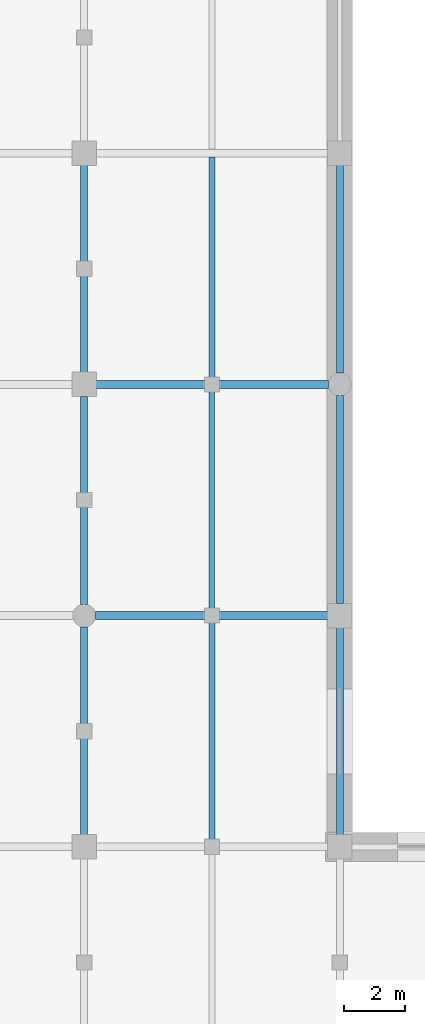
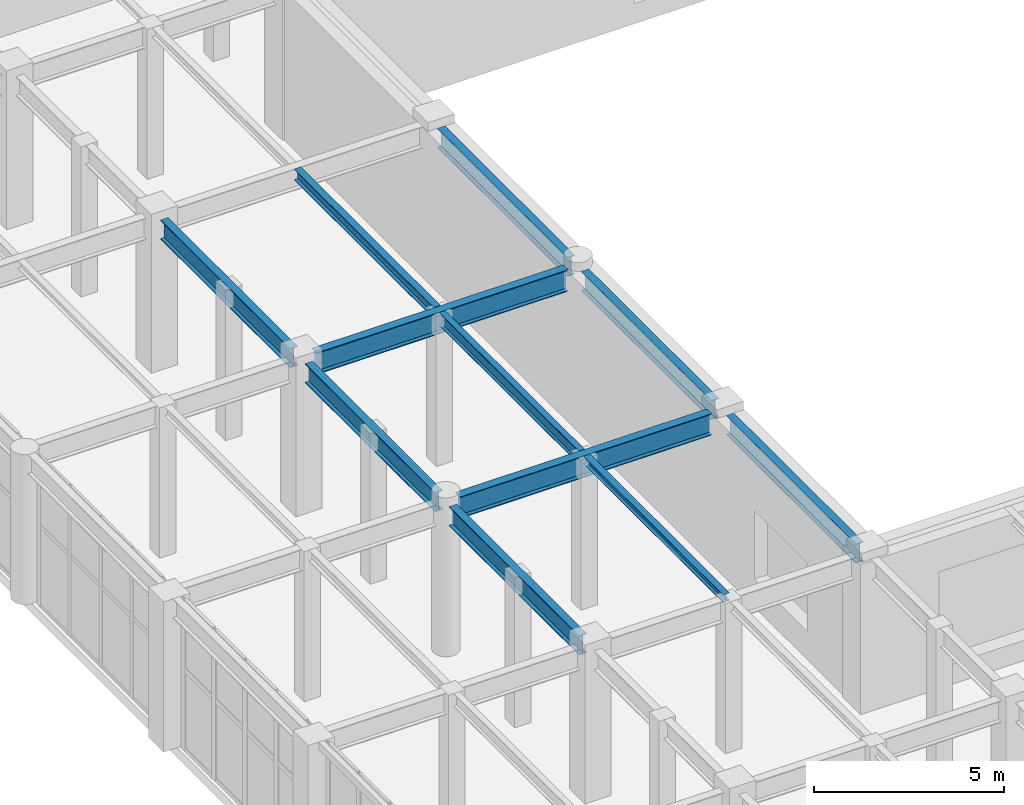
# One storey, part 33 of 128: 11 beams.
"""IFC4 building model written with IfcOpenShell, lengths in metres."""

from ifc_helpers import new_model, si_unit, direction, frame, origin, origin_2d, place, context, subcontext, project, spatial, i_section, extrude, material, material_profile, profile_set, type_object, element, save


model = new_model("IFC4")

# Units and contexts
model_context = context("Model", 3, precision=1e-05, world=origin(), true_north=direction((0.0, 1.0)))
body_context = subcontext(model_context, "Body", "Model", "MODEL_VIEW")
ifc_project = project(units=[si_unit("LENGTHUNIT", "METRE"), si_unit("AREAUNIT", "SQUARE_METRE"), si_unit("VOLUMEUNIT", "CUBIC_METRE"), si_unit("PLANEANGLEUNIT", "RADIAN"), si_unit("MASSUNIT", "GRAM", prefix="KILO")], contexts=[model_context])

# Site, building, storey
site_placement = place(None, origin())
site = spatial("IfcSite", under=ifc_project, at=site_placement, CompositionType="ELEMENT")
building_placement = place(site_placement, origin())
building = spatial("IfcBuilding", under=site, at=building_placement, Name="Xicomal Pleat Aquarium", CompositionType="ELEMENT")
storey_placement = place(building_placement, frame((0.0, 0.0, 5.39990234375)))
storey = spatial("IfcBuildingStorey", under=building, at=storey_placement, Name="L02", CompositionType="ELEMENT", Elevation=5.39990234375)

# Beams
ifc_material_1 = material(Name="Structural steel A992 Gr 50", Category="steel")
ifc_material_profile_1 = material_profile(ifc_material_1, i_section(OverallWidth=0.201904296875, OverallDepth=0.2470703125, WebThickness=0.00732421875, FlangeThickness=0.010986328125, at=origin_2d()), Name="IR 250x49")
ifc_profile_set_1 = profile_set([ifc_material_profile_1], Name="Structural steel A992 Gr 50")
beam_type_1 = type_object("IfcBeamType", Name="BM-STL-IR250", PredefinedType="JOIST", material=ifc_profile_set_1)
beam_1_placement = place(storey_placement, frame((56.39990234375, 45.73095703125, 4.696533203125), z_axis=(0.0, 1.0, 0.0), x_axis=(-1.0, 0.0, 0.0)))
element("IfcBeam", 1, at=beam_1_placement, inside=storey, type_object=beam_type_1, Name="L02 framing beam FBJ-L02-07-G-1", PredefinedType="JOIST", context=body_context, shape_type="SweptSolid", body=[
    extrude(i_section(OverallWidth=0.201904296875, OverallDepth=0.2470703125, WebThickness=0.00732421875, FlangeThickness=0.010986328125, at=origin_2d()), origin(), (0.0, 0.0, 1.0), 7.338134765625),
])
ifc_material_2 = material(Name="Structural steel A992 Gr 50", Category="steel")
ifc_material_profile_2 = material_profile(ifc_material_2, i_section(OverallWidth=0.205078125, OverallDepth=0.35400390625, WebThickness=0.009521484375, FlangeThickness=0.016845703125, at=origin_2d()), Name="IR 360x79")
ifc_profile_set_2 = profile_set([ifc_material_profile_2], Name="Structural steel A992 Gr 50")
beam_type_2 = type_object("IfcBeamType", Name="BM-STL-IR360", PredefinedType="JOIST", material=ifc_profile_set_2)
beam_2_placement = place(storey_placement, frame((56.39990234375, 60.930908203125, 4.64306640625), z_axis=(0.0, 1.0, 0.0), x_axis=(-1.0, 0.0, 0.0)))
element("IfcBeam", 2, at=beam_2_placement, inside=storey, type_object=beam_type_2, Name="L02 framing beam FBJ-L02-07-J-1", PredefinedType="JOIST", context=body_context, shape_type="SweptSolid", body=[
    extrude(i_section(OverallWidth=0.205078125, OverallDepth=0.35400390625, WebThickness=0.009521484375, FlangeThickness=0.016845703125, at=origin_2d()), origin(), (0.0, 0.0, 1.0), 7.338134765625),
])
ifc_material_3 = material(Name="Structural steel A992 Gr 50", Category="steel")
ifc_material_profile_3 = material_profile(ifc_material_3, i_section(OverallWidth=0.180908203125, OverallDepth=0.4169921875, WebThickness=0.010986328125, FlangeThickness=0.018310546875, at=origin_2d()), Name="IR 410x85")
ifc_profile_set_3 = profile_set([ifc_material_profile_3], Name="Structural steel A992 Gr 50")
beam_type_3 = type_object("IfcBeamType", Name="BM-STL-IR410", PredefinedType="JOIST", material=ifc_profile_set_3)
beam_3_placement = place(storey_placement, frame((56.39990234375, 53.3310546875, 4.611572265625), z_axis=(0.0, 1.0, 0.0), x_axis=(-1.0, 0.0, 0.0)))
element("IfcBeam", 3, at=beam_3_placement, inside=storey, type_object=beam_type_3, Name="L02 framing beam FBJ-L02-07-H-1", PredefinedType="JOIST", context=body_context, shape_type="SweptSolid", body=[
    extrude(i_section(OverallWidth=0.180908203125, OverallDepth=0.4169921875, WebThickness=0.010986328125, FlangeThickness=0.018310546875, at=origin_2d()), origin(), (0.0, 0.0, 1.0), 7.337890625),
])
ifc_material_4 = material(Name="Structural steel A992 Gr 50", Category="steel")
ifc_material_profile_4 = material_profile(ifc_material_4, i_section(OverallWidth=0.22998046875, OverallDepth=0.616943359375, WebThickness=0.01318359375, FlangeThickness=0.022216796875, at=origin_2d()), Name="IR 610x140")
ifc_profile_set_4 = profile_set([ifc_material_profile_4], Name="Structural steel A992 Gr 50")
beam_type_4 = type_object("IfcBeamType", Name="BM-STL-IR610", PredefinedType="BEAM", material=ifc_profile_set_4)
for number, where, z_axis, x_axis, name in (
    (4, (52.199951171875, 45.9951171875, 4.51171875), (0.0, 1.0, 0.0), (-1.0, 0.0, 0.0), "L02 framing beam FGY-L02-07-G-H"),
    (5, (52.199951171875, 53.570068359375, 4.51171875), (0.0, 1.0, 0.0), (-1.0, 0.0, 0.0), "L02 framing beam FGY-L02-07-H-J"),
):
    element("IfcBeam", number, at=place(storey_placement, frame(where, z_axis=z_axis, x_axis=x_axis)), inside=storey, type_object=beam_type_4, Name=name, PredefinedType="BEAM", context=body_context, shape_type="SweptSolid", body=[
        extrude(i_section(OverallWidth=0.22998046875, OverallDepth=0.616943359375, WebThickness=0.01318359375, FlangeThickness=0.022216796875, at=origin_2d()), origin(), (0.0, 0.0, 1.0), 6.8349609375),
    ])
for number, where, z_axis, x_axis, name in (
    (6, (52.199951171875, 61.195068359375, 4.51171875), (0.0, 1.0, 0.0), (-1.0, 0.0, 0.0), "L02 framing beam FGY-L02-07-J-K"),
    (7, (60.60009765625, 45.9951171875, 4.51171875), (0.0, 1.0, 0.0), (-1.0, 0.0, 0.0), "L02 framing beam FGY-L02-08-G-H"),
):
    element("IfcBeam", number, at=place(storey_placement, frame(where, z_axis=z_axis, x_axis=x_axis)), inside=storey, type_object=beam_type_4, Name=name, PredefinedType="BEAM", context=body_context, shape_type="SweptSolid", body=[
        extrude(i_section(OverallWidth=0.22998046875, OverallDepth=0.616943359375, WebThickness=0.01318359375, FlangeThickness=0.022216796875, at=origin_2d()), origin(), (0.0, 0.0, 1.0), 6.809814453125),
    ])
for number, where, z_axis, x_axis, name in (
    (8, (60.60009765625, 53.594970703125, 4.51171875), (0.0, 1.0, 0.0), (-1.0, 0.0, 0.0), "L02 framing beam FGY-L02-08-H-J"),
    (9, (60.60009765625, 61.169921875, 4.51171875), (0.0, 1.0, 0.0), (-1.0, 0.0, 0.0), "L02 framing beam FGY-L02-08-J-K"),
):
    element("IfcBeam", number, at=place(storey_placement, frame(where, z_axis=z_axis, x_axis=x_axis)), inside=storey, type_object=beam_type_4, Name=name, PredefinedType="BEAM", context=body_context, shape_type="SweptSolid", body=[
        extrude(i_section(OverallWidth=0.22998046875, OverallDepth=0.616943359375, WebThickness=0.01318359375, FlangeThickness=0.022216796875, at=origin_2d()), origin(), (0.0, 0.0, 1.0), 6.8349609375),
    ])
ifc_material_5 = material(Name="Structural steel A992 Gr 50", Category="steel")
ifc_material_profile_5 = material_profile(ifc_material_5, i_section(OverallWidth=0.256103515625, OverallDepth=0.693115234375, WebThickness=0.014404296875, FlangeThickness=0.023681640625, at=origin_2d()), Name="IR 690x170")
ifc_profile_set_5 = profile_set([ifc_material_profile_5], Name="Structural steel A992 Gr 50")
beam_type_5 = type_object("IfcBeamType", Name="BM-STL-IR690", PredefinedType="BEAM", material=ifc_profile_set_5)
for number, where, z_axis, x_axis, name in (
    (10, (52.570068359375, 53.199951171875, 4.4736328125), (1.0, 0.0, 0.0), (0.0, 1.0, 0.0), "L02 framing beam FGX-L02-07-08-H"),
    (11, (52.594970703125, 60.800048828125, 4.4736328125), (1.0, 0.0, 0.0), (0.0, 1.0, 0.0), "L02 framing beam FGX-L02-07-08-J"),
):
    element("IfcBeam", number, at=place(storey_placement, frame(where, z_axis=z_axis, x_axis=x_axis)), inside=storey, type_object=beam_type_5, Name=name, PredefinedType="BEAM", context=body_context, shape_type="SweptSolid", body=[
        extrude(i_section(OverallWidth=0.256103515625, OverallDepth=0.693115234375, WebThickness=0.014404296875, FlangeThickness=0.023681640625, at=origin_2d()), origin(), (0.0, 0.0, 1.0), 7.635009765625),
    ])

save(model, "model.ifc")
